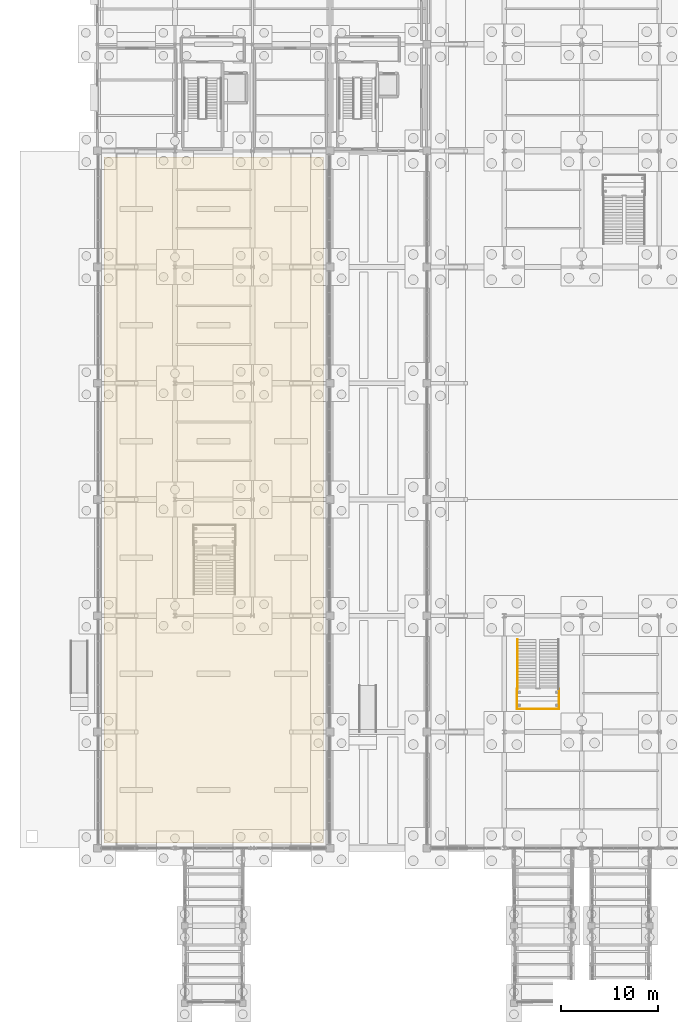
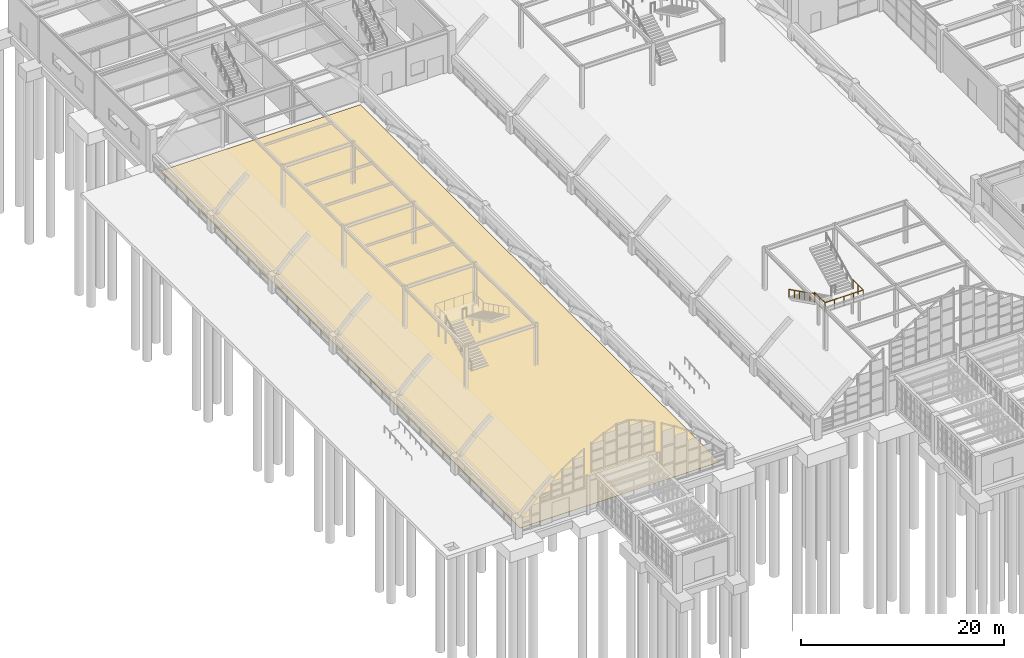
# One storey, part 116 of 129: 2 railings, 1 covering.
"""IFC4 building model written with IfcOpenShell, lengths in metres."""

import ifcopenshell
import ifcopenshell.guid

model = None  # the IFC model being written
_history = None  # IfcOwnerHistory: only IFC2X3 demands one
_inside = {}  # id of a spatial element -> (the spatial element, [elements in it])
_under = {}  # id of a project, library or spatial element -> (it, [spatial elements below it])
_declared = {}  # id of a project -> (the project, [libraries it declares])
_typed = {}  # id of a type object -> (the type object, [elements of that type])
_made_of = {}  # id of a material, layer set ... -> (it, [elements and type objects made of it])


def new_model(schema):
    """Start an empty IFC model of exactly this schema.

    Asked for "IFC4X3", IfcOpenShell would pick the latest addendum, in which some entities
    have other attributes; the version numbers below select the first issue.
    IFC2X3 requires an IfcOwnerHistory on every rooted entity: one is made here for all.
    """
    global model, _history
    if schema == "IFC4X3":
        model = ifcopenshell.file(schema_version=(4, 3, 0, 0))
    else:
        model = ifcopenshell.file(schema=schema)
    _inside.clear()
    _under.clear()
    _declared.clear()
    _typed.clear()
    _made_of.clear()
    _history = None
    if model.schema == "IFC2X3":
        org = make("IfcOrganization", Name="unknown")
        user = make(
            "IfcPersonAndOrganization",
            ThePerson=make("IfcPerson", FamilyName="unknown"),
            TheOrganization=org,
        )
        app = make(
            "IfcApplication",
            ApplicationDeveloper=org,
            Version="unknown",
            ApplicationFullName="unknown",
            ApplicationIdentifier="unknown",
        )
        _history = make(
            "IfcOwnerHistory",
            OwningUser=user,
            OwningApplication=app,
            ChangeAction="ADDED",
            CreationDate=0,
        )
    return model


def make(cls, **values):
    """One entity of the class cls with the attributes given. An attribute that is None is left unset."""
    return model.create_entity(
        cls, **{name: value for name, value in values.items() if value is not None}
    )


def rooted(cls, **values):
    """An entity with a GlobalId (a new one), such as an element, a storey or a relation."""
    return make(cls, GlobalId=ifcopenshell.guid.new(), OwnerHistory=_history, **values)


def si_unit(unit_type, name, prefix=None):
    """IfcSIUnit, for example si_unit("LENGTHUNIT", "METRE", prefix="MILLI")."""
    return make("IfcSIUnit", UnitType=unit_type, Prefix=prefix, Name=name)


def assignment(units):
    """IfcUnitAssignment: the units of a project."""
    return None if units is None else make("IfcUnitAssignment", Units=units)


def point(xyz):
    """IfcCartesianPoint."""
    return None if xyz is None else make("IfcCartesianPoint", Coordinates=xyz)


def direction(xyz):
    """IfcDirection."""
    return None if xyz is None else make("IfcDirection", DirectionRatios=xyz)


def frame(location, z_axis=None, x_axis=None):
    """IfcAxis2Placement3D, a coordinate frame: its origin and axes. An axis left out is left unset."""
    return make(
        "IfcAxis2Placement3D",
        Location=point(location),
        Axis=direction(z_axis),
        RefDirection=direction(x_axis),
    )


def frame_2d(location, x_axis=None):
    """IfcAxis2Placement2D, a coordinate frame in the plane: its origin and x axis."""
    return make(
        "IfcAxis2Placement2D", Location=point(location), RefDirection=direction(x_axis)
    )


def origin():
    """The frame at (0, 0, 0) with its axes left unset."""
    return frame((0.0, 0.0, 0.0))


def origin_2d():
    """The frame at (0, 0) in the plane with its x axis left unset."""
    return frame_2d((0.0, 0.0))


def place(relative_to, where):
    """IfcLocalPlacement: puts the frame where relative to a parent placement (None: the world)."""
    return make(
        "IfcLocalPlacement", PlacementRelTo=relative_to, RelativePlacement=where
    )


def context(
    kind, dimensions, precision=None, world=None, true_north=None, identifier=None
):
    """IfcGeometricRepresentationContext, for example the 3D "Model" context."""
    return make(
        "IfcGeometricRepresentationContext",
        ContextIdentifier=identifier,
        ContextType=kind,
        CoordinateSpaceDimension=dimensions,
        Precision=precision,
        WorldCoordinateSystem=world,
        TrueNorth=true_north,
    )


def subcontext(parent, identifier, kind, view, scale=None):
    """IfcGeometricRepresentationSubContext, for example "Body" below "Model"."""
    return make(
        "IfcGeometricRepresentationSubContext",
        ContextIdentifier=identifier,
        ContextType=kind,
        ParentContext=parent,
        TargetScale=scale,
        TargetView=view,
    )


def project(units=None, contexts=None):
    """IfcProject with its units and contexts."""
    return rooted(
        "IfcProject",
        Name="project",
        RepresentationContexts=contexts,
        UnitsInContext=assignment(units),
    )


def spatial(cls, under=None, at=None, **own):
    """A site, building, storey or space (cls), placed at a placement, below another one or the project."""
    s = rooted(cls, ObjectPlacement=at, **own)
    if under is not None:
        _under.setdefault(under.id(), (under, []))[1].append(s)
    return s


def polyline(points):
    """IfcPolyline through the points."""
    return make("IfcPolyline", Points=[point(p) for p in points])


def profile(cls, at=None, kind="AREA", **sizes):
    """A parametric profile (cls). Its sizes go by their IFC names, for example OverallWidth=200.0."""
    return make(cls, ProfileType=kind, Position=at, **sizes)


def circle(**sizes):
    """IfcCircleProfileDef."""
    return profile("IfcCircleProfileDef", **sizes)


def outline(outer, holes=None, kind="AREA"):
    """IfcArbitraryClosedProfileDef: a profile drawn as a closed curve; with holes, ...WithVoids."""
    if holes is None:
        return make("IfcArbitraryClosedProfileDef", ProfileType=kind, OuterCurve=outer)
    return make(
        "IfcArbitraryProfileDefWithVoids",
        ProfileType=kind,
        OuterCurve=outer,
        InnerCurves=holes,
    )


def extrude(swept, where, along, depth):
    """IfcExtrudedAreaSolid: the profile swept, set in the frame where, extruded along a direction by depth."""
    return make(
        "IfcExtrudedAreaSolid",
        SweptArea=swept,
        Position=where,
        ExtrudedDirection=direction(along),
        Depth=depth,
    )


def shape(context_of_items, identifier, shape_type, items):
    """IfcShapeRepresentation: the items that make up one representation, for example the "Body"."""
    return make(
        "IfcShapeRepresentation",
        ContextOfItems=context_of_items,
        RepresentationIdentifier=identifier,
        RepresentationType=shape_type,
        Items=items,
    )


def material(Name=None, Category=None):
    """IfcMaterial."""
    return make("IfcMaterial", Name=Name, Category=Category)


def layer(
    of_material, thickness, ventilated=None, Name=None, Category=None, Priority=None
):
    """IfcMaterialLayer: one layer of a wall or slab, of a material (None: an air gap)."""
    return make(
        "IfcMaterialLayer",
        Material=of_material,
        LayerThickness=thickness,
        IsVentilated=ventilated,
        Name=Name,
        Category=Category,
        Priority=Priority,
    )


def layer_set(layers, Name=None):
    """IfcMaterialLayerSet."""
    return make("IfcMaterialLayerSet", MaterialLayers=layers, LayerSetName=Name)


def made_of(thing, what):
    """Note that an element or type object is made of a material, layer set ...; save() writes the relation."""
    if what is not None:
        _made_of.setdefault(what.id(), (what, []))[1].append(thing)
    return thing


def type_object(cls, material=None, **own):
    """A type object (cls), such as IfcWallType, which elements share."""
    return made_of(rooted(cls, **own), material)


def element(
    cls,
    number,
    at=None,
    inside=None,
    cuts=None,
    type_object=None,
    material=None,
    context=None,
    identifier="Body",
    shape_type=None,
    held_by="IfcProductDefinitionShape",
    body=None,
    shapes=None,
    **own,
):
    """One element of the class cls, such as IfcWall. Its Tag is "e" and its number.

    at: its placement. inside: the storey or other place that contains it. cuts: it is an
    opening in that element (IfcRelVoidsElement). A single representation is given by context,
    identifier, shape_type and body (its items); several are given by shapes. held_by: the class
    of the entity that holds the representations. save() writes the other relations.
    """
    e = rooted(cls, Tag="e%d" % number, ObjectPlacement=at, **own)
    if body is not None:
        shapes = [shape(context, identifier, shape_type, body)]
    if shapes is not None:
        e.Representation = make(held_by, Representations=shapes)
    if inside is not None:
        _inside.setdefault(inside.id(), (inside, []))[1].append(e)
    if cuts is not None:
        rooted(
            "IfcRelVoidsElement", RelatingBuildingElement=cuts, RelatedOpeningElement=e
        )
    if type_object is not None:
        _typed.setdefault(type_object.id(), (type_object, []))[1].append(e)
    return made_of(e, material)


def aggregate(whole, parts):
    """IfcRelAggregates: a whole, such as a stair, and the parts it consists of."""
    return rooted("IfcRelAggregates", RelatingObject=whole, RelatedObjects=parts)


def save(model, path):
    """Write the relations noted so far, then the file.

    IfcRelAggregates (storeys below a building ...), IfcRelContainedInSpatialStructure (elements
    in a storey), IfcRelDefinesByType, IfcRelAssociatesMaterial and IfcRelDeclares: one each for
    every whole, place, type object, material and project.
    """
    for whole, parts in _under.values():
        aggregate(whole, parts)
    for where, things in _inside.values():
        rooted(
            "IfcRelContainedInSpatialStructure",
            RelatedElements=things,
            RelatingStructure=where,
        )
    for kind, things in _typed.values():
        rooted("IfcRelDefinesByType", RelatedObjects=things, RelatingType=kind)
    for what, things in _made_of.values():
        rooted("IfcRelAssociatesMaterial", RelatedObjects=things, RelatingMaterial=what)
    for by, libraries in _declared.values():
        rooted("IfcRelDeclares", RelatingContext=by, RelatedDefinitions=libraries)
    model.write(path)


model = new_model("IFC4")

# Units and contexts
model_context = context("Model", 3, precision=1e-05, world=origin(), true_north=direction((0.0, 1.0)))
body_context = subcontext(model_context, "Body", "Model", "MODEL_VIEW")
ifc_project = project(units=[si_unit("LENGTHUNIT", "METRE"), si_unit("AREAUNIT", "SQUARE_METRE"), si_unit("VOLUMEUNIT", "CUBIC_METRE"), si_unit("PLANEANGLEUNIT", "RADIAN"), si_unit("MASSUNIT", "GRAM", prefix="KILO")], contexts=[model_context])

# Site, building, storey
site_placement = place(None, origin())
site = spatial("IfcSite", under=ifc_project, at=site_placement, CompositionType="ELEMENT")
building_placement = place(site_placement, origin())
building = spatial("IfcBuilding", under=site, at=building_placement, Name="Sitalva Quay Ferry Terminal", CompositionType="ELEMENT")
storey_placement = place(building_placement, origin())
storey = spatial("IfcBuildingStorey", under=building, at=storey_placement, Name="L01", CompositionType="ELEMENT", Elevation=0.0)

# Covering
ifc_material_1 = material(Name="Flamed Non-Slip Granite Paving", Category="masonry")
ifc_layer = layer(ifc_material_1, 0.034912109375)
ifc_layer_set = layer_set([ifc_layer], Name="Flamed Non-Slip Granite Paving")
covering_type = type_object("IfcCoveringType", Name="Finish_Granite_35", PredefinedType="FLOORING", material=ifc_layer_set)
covering_placement = place(storey_placement, origin())
element("IfcCovering", 1, at=covering_placement, inside=storey, type_object=covering_type, Name="Arrivals & Customs Hall flooring", PredefinedType="FLOORING", context=body_context, shape_type="SweptSolid", body=[
    extrude(outline(polyline([(8.64990234375, 6.550048828125), (31.35009765625, 6.550048828125), (31.35009765625, 77.35009765625), (8.64990234375, 77.35009765625), (8.64990234375, 6.550048828125)])), origin(), (0.0, 0.0, 1.0), 0.034912109375),
])

# Railings
ifc_material_2 = material(Name="Stainless Steel 316L & Laminated Glass", Category="steel")
railing_type_1 = type_object("IfcRailingType", Name="Railing_Balustrade_1120", PredefinedType="BALUSTRADE", material=ifc_material_2)
railing_1_placement = place(storey_placement, frame((51.300048828125, 22.43994140625, 2.699951171875)))
element("IfcRailing", 2, at=railing_1_placement, inside=storey, type_object=railing_type_1, Name="ST-11-GR-LD", PredefinedType="BALUSTRADE", context=body_context, shape_type="SweptSolid", body=[
    extrude(circle(Radius=0.02392578125, at=origin_2d()), frame((0.0, 0.0, 1.09619140625), z_axis=(0.0, -1.0, 0.0), x_axis=(1.0, 0.0, 0.0)), (0.0, 0.0, 1.0), 2.050048828125),
    extrude(circle(Radius=0.02392578125, at=origin_2d()), frame((0.0, -2.050048828125, 1.09619140625), z_axis=(1.0, 0.0, 0.0), x_axis=(0.0, 1.0, 0.0)), (0.0, 0.0, 1.0), 4.349853515625),
    extrude(circle(Radius=0.02392578125, at=origin_2d()), frame((4.349853515625, -2.050048828125, 1.09619140625), z_axis=(0.0, 1.0, 0.0), x_axis=(-1.0, 0.0, 0.0)), (0.0, 0.0, 1.0), 2.050048828125),
    extrude(circle(Radius=0.02099609375, at=origin_2d()), origin(), (0.0, 0.0, 1.0), 1.072021484375),
    extrude(circle(Radius=0.02099609375, at=origin_2d()), frame((0.0, -1.02490234375, 0.0)), (0.0, 0.0, 1.0), 1.072021484375),
    extrude(circle(Radius=0.02099609375, at=origin_2d()), frame((0.0, -2.050048828125, 0.0)), (0.0, 0.0, 1.0), 1.072021484375),
    extrude(circle(Radius=0.02099609375, at=origin_2d()), frame((1.08740234375, -2.050048828125, 0.0)), (0.0, 0.0, 1.0), 1.072021484375),
    extrude(circle(Radius=0.02099609375, at=origin_2d()), frame((2.1748046875, -2.050048828125, 0.0)), (0.0, 0.0, 1.0), 1.072021484375),
    extrude(circle(Radius=0.02099609375, at=origin_2d()), frame((3.262451171875, -2.050048828125, 0.0)), (0.0, 0.0, 1.0), 1.072021484375),
    extrude(circle(Radius=0.02099609375, at=origin_2d()), frame((4.349853515625, -2.050048828125, 0.0)), (0.0, 0.0, 1.0), 1.072021484375),
    extrude(circle(Radius=0.02099609375, at=origin_2d()), frame((4.349853515625, -1.02490234375, 0.0)), (0.0, 0.0, 1.0), 1.072021484375),
    extrude(circle(Radius=0.02099609375, at=origin_2d()), frame((4.349853515625, 0.0, 0.0)), (0.0, 0.0, 1.0), 1.072021484375),
])
ifc_material_3 = material(Name="Stainless Steel 316L", Category="steel")
railing_type_2 = type_object("IfcRailingType", Name="Railing_Handrail_900", PredefinedType="HANDRAIL", material=ifc_material_3)
railing_2_placement = place(storey_placement, frame((51.360107421875, 27.5400390625, 0.14990234375)))
element("IfcRailing", 3, at=railing_2_placement, inside=storey, type_object=railing_type_2, Name="ST-11-HR1", PredefinedType="HANDRAIL", context=body_context, shape_type="SweptSolid", body=[
    extrude(circle(Radius=0.02392578125, at=origin_2d()), frame((0.0, 0.0, 0.8759765625), z_axis=(0.0, -0.894427191, 0.4472135955), x_axis=(1.0, 0.0, 0.0)), (0.0, 0.0, 1.0), 5.7021484375),
    extrude(circle(Radius=0.02099609375, at=origin_2d()), origin(), (0.0, 0.0, 1.0), 0.851806640625),
    extrude(circle(Radius=0.02099609375, at=origin_2d()), frame((0.0, -1.02001953125, 0.510009765625)), (0.0, 0.0, 1.0), 0.851806640625),
    extrude(circle(Radius=0.02099609375, at=origin_2d()), frame((0.0, -2.0400390625, 1.02001953125)), (0.0, 0.0, 1.0), 0.851806640625),
    extrude(circle(Radius=0.02099609375, at=origin_2d()), frame((0.0, -3.06005859375, 1.530029296875)), (0.0, 0.0, 1.0), 0.851806640625),
    extrude(circle(Radius=0.02099609375, at=origin_2d()), frame((0.0, -4.080078125, 2.0400390625)), (0.0, 0.0, 1.0), 0.851806640625),
    extrude(circle(Radius=0.02099609375, at=origin_2d()), frame((0.0, -5.10009765625, 2.550048828125)), (0.0, 0.0, 1.0), 0.851806640625),
])

save(model, "model.ifc")
